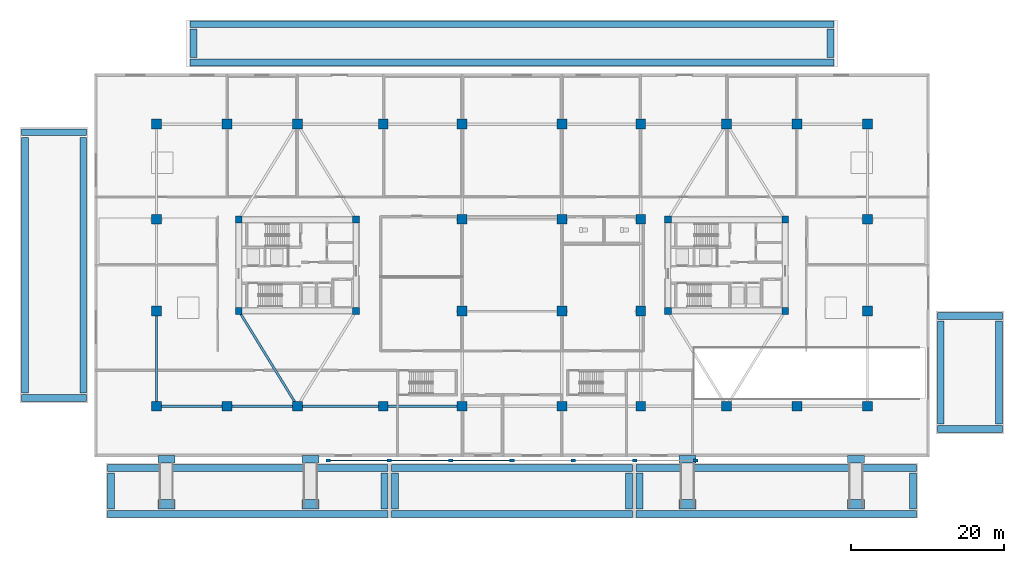
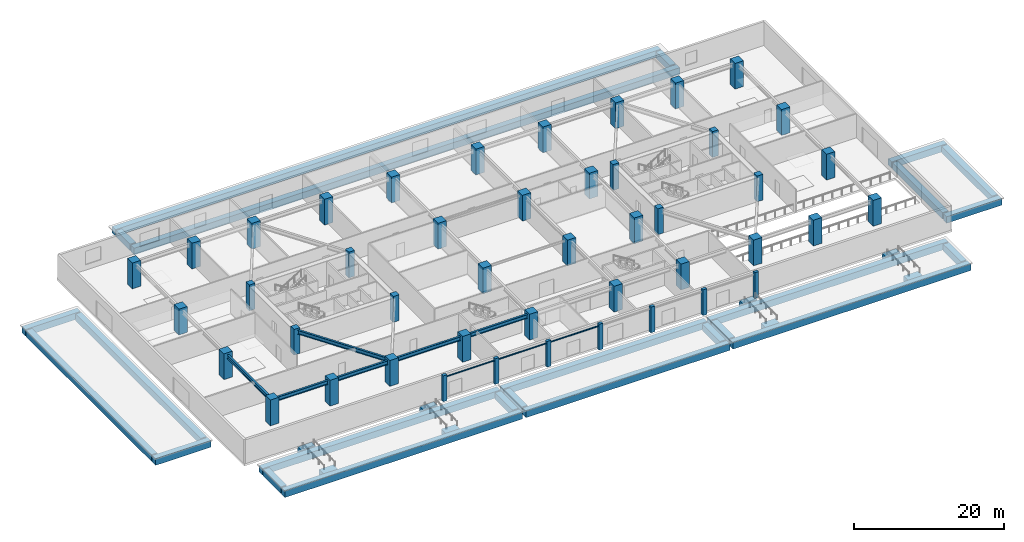
# One storey, part 1 of 22: 45 columns, 32 footings, 9 beams.
"""IFC4 building model written with IfcOpenShell, lengths in metres."""

from ifc_helpers import new_model, si_unit, direction, frame, origin, origin_2d, place, context, subcontext, project, spatial, polyline, rectangle, i_section, outline, extrude, source, transform, mapped, material, layer, layer_set, material_profile, profile_set, type_object, type_shapes, element, save


model = new_model("IFC4")

# Units and contexts
model_context = context("Model", 3, precision=1e-05, world=origin(), true_north=direction((0.0, 1.0)))
body_context = subcontext(model_context, "Body", "Model", "MODEL_VIEW")
ifc_project = project(units=[si_unit("LENGTHUNIT", "METRE"), si_unit("AREAUNIT", "SQUARE_METRE"), si_unit("VOLUMEUNIT", "CUBIC_METRE"), si_unit("PLANEANGLEUNIT", "RADIAN"), si_unit("MASSUNIT", "GRAM", prefix="KILO")], contexts=[model_context])

# Site, building, storey
site_placement = place(None, origin())
site = spatial("IfcSite", under=ifc_project, at=site_placement, CompositionType="ELEMENT")
building_placement = place(site_placement, origin())
building = spatial("IfcBuilding", under=site, at=building_placement, Name="Norrkilde Senior Care Towers", CompositionType="ELEMENT")
storey_placement = place(building_placement, origin())
storey = spatial("IfcBuildingStorey", under=building, at=storey_placement, Name="L00", CompositionType="ELEMENT", Elevation=0.0)

# Footings
ifc_material_1 = material(Name="Concrete C45/55", Category="concrete")
ifc_layer = layer(ifc_material_1, 0.89990234375)
ifc_layer_set = layer_set([ifc_layer], Name="Concrete C45/55")
footing_type = type_object("IfcFootingType", Name="Perimeter Wall Strip Footing 1400x900", PredefinedType="STRIP_FOOTING", material=ifc_layer_set)
footing_1_placement = place(storey_placement, frame((0.0, 0.0, -1.25)))
element("IfcFooting", 1, at=footing_1_placement, inside=storey, type_object=footing_type, Name="Forecourt Frost Strip Footing FT-GSF-S1S", PredefinedType="STRIP_FOOTING", context=body_context, shape_type="SweptSolid", body=[
    extrude(outline(polyline([(-52.800048828125, -32.89990234375), (-16.199951171875, -32.89990234375), (-16.199951171875, -32.0), (-52.800048828125, -32.0), (-52.800048828125, -32.89990234375)])), origin(), (0.0, 0.0, 1.0), 1.070068359375),
])
footing_2_placement = place(storey_placement, frame((0.0, 0.0, -1.25)))
element("IfcFooting", 2, at=footing_2_placement, inside=storey, type_object=footing_type, Name="Forecourt Frost Strip Footing FT-GSF-S1N", PredefinedType="STRIP_FOOTING", context=body_context, shape_type="SweptSolid", body=[
    extrude(outline(polyline([(-52.800048828125, -26.89990234375), (-16.199951171875, -26.89990234375), (-16.199951171875, -26.0), (-52.800048828125, -26.0), (-52.800048828125, -26.89990234375)])), origin(), (0.0, 0.0, 1.0), 1.070068359375),
])
footing_3_placement = place(storey_placement, frame((0.0, 0.0, -1.25)))
element("IfcFooting", 3, at=footing_3_placement, inside=storey, type_object=footing_type, Name="Forecourt Frost Strip Footing FT-GSF-S1W", PredefinedType="STRIP_FOOTING", context=body_context, shape_type="SweptSolid", body=[
    extrude(outline(polyline([(-52.800048828125, -31.800048828125), (-51.89990234375, -31.800048828125), (-51.89990234375, -27.10009765625), (-52.800048828125, -27.10009765625), (-52.800048828125, -31.800048828125)])), origin(), (0.0, 0.0, 1.0), 1.070068359375),
])
footing_4_placement = place(storey_placement, frame((0.0, 0.0, -1.25)))
element("IfcFooting", 4, at=footing_4_placement, inside=storey, type_object=footing_type, Name="Forecourt Frost Strip Footing FT-GSF-S1E", PredefinedType="STRIP_FOOTING", context=body_context, shape_type="SweptSolid", body=[
    extrude(outline(polyline([(-17.10009765625, -31.800048828125), (-16.199951171875, -31.800048828125), (-16.199951171875, -27.10009765625), (-17.10009765625, -27.10009765625), (-17.10009765625, -31.800048828125)])), origin(), (0.0, 0.0, 1.0), 1.070068359375),
])
footing_5_placement = place(storey_placement, frame((0.0, 0.0, -1.25)))
element("IfcFooting", 5, at=footing_5_placement, inside=storey, type_object=footing_type, Name="Forecourt Frost Strip Footing FT-GSF-S2S", PredefinedType="STRIP_FOOTING", context=body_context, shape_type="SweptSolid", body=[
    extrude(outline(polyline([(-15.699951171875, -32.89990234375), (15.699951171875, -32.89990234375), (15.699951171875, -32.0), (-15.699951171875, -32.0), (-15.699951171875, -32.89990234375)])), origin(), (0.0, 0.0, 1.0), 1.070068359375),
])
footing_6_placement = place(storey_placement, frame((0.0, 0.0, -1.25)))
element("IfcFooting", 6, at=footing_6_placement, inside=storey, type_object=footing_type, Name="Forecourt Frost Strip Footing FT-GSF-S2N", PredefinedType="STRIP_FOOTING", context=body_context, shape_type="SweptSolid", body=[
    extrude(outline(polyline([(-15.699951171875, -26.89990234375), (15.699951171875, -26.89990234375), (15.699951171875, -26.0), (-15.699951171875, -26.0), (-15.699951171875, -26.89990234375)])), origin(), (0.0, 0.0, 1.0), 1.070068359375),
])
footing_7_placement = place(storey_placement, frame((0.0, 0.0, -1.25)))
element("IfcFooting", 7, at=footing_7_placement, inside=storey, type_object=footing_type, Name="Forecourt Frost Strip Footing FT-GSF-S2W", PredefinedType="STRIP_FOOTING", context=body_context, shape_type="SweptSolid", body=[
    extrude(outline(polyline([(-15.699951171875, -31.800048828125), (-14.800048828125, -31.800048828125), (-14.800048828125, -27.10009765625), (-15.699951171875, -27.10009765625), (-15.699951171875, -31.800048828125)])), origin(), (0.0, 0.0, 1.0), 1.070068359375),
])
footing_8_placement = place(storey_placement, frame((0.0, 0.0, -1.25)))
element("IfcFooting", 8, at=footing_8_placement, inside=storey, type_object=footing_type, Name="Forecourt Frost Strip Footing FT-GSF-S2E", PredefinedType="STRIP_FOOTING", context=body_context, shape_type="SweptSolid", body=[
    extrude(outline(polyline([(14.800048828125, -31.800048828125), (15.699951171875, -31.800048828125), (15.699951171875, -27.10009765625), (14.800048828125, -27.10009765625), (14.800048828125, -31.800048828125)])), origin(), (0.0, 0.0, 1.0), 1.070068359375),
])
footing_9_placement = place(storey_placement, frame((0.0, 0.0, -1.25)))
element("IfcFooting", 9, at=footing_9_placement, inside=storey, type_object=footing_type, Name="Forecourt Frost Strip Footing FT-GSF-S3S", PredefinedType="STRIP_FOOTING", context=body_context, shape_type="SweptSolid", body=[
    extrude(outline(polyline([(16.199951171875, -32.89990234375), (52.800048828125, -32.89990234375), (52.800048828125, -32.0), (16.199951171875, -32.0), (16.199951171875, -32.89990234375)])), origin(), (0.0, 0.0, 1.0), 1.070068359375),
])
footing_10_placement = place(storey_placement, frame((0.0, 0.0, -1.25)))
element("IfcFooting", 10, at=footing_10_placement, inside=storey, type_object=footing_type, Name="Forecourt Frost Strip Footing FT-GSF-S3N", PredefinedType="STRIP_FOOTING", context=body_context, shape_type="SweptSolid", body=[
    extrude(outline(polyline([(16.199951171875, -26.89990234375), (52.800048828125, -26.89990234375), (52.800048828125, -26.0), (16.199951171875, -26.0), (16.199951171875, -26.89990234375)])), origin(), (0.0, 0.0, 1.0), 1.070068359375),
])
footing_11_placement = place(storey_placement, frame((0.0, 0.0, -1.25)))
element("IfcFooting", 11, at=footing_11_placement, inside=storey, type_object=footing_type, Name="Forecourt Frost Strip Footing FT-GSF-S3W", PredefinedType="STRIP_FOOTING", context=body_context, shape_type="SweptSolid", body=[
    extrude(outline(polyline([(16.199951171875, -31.800048828125), (17.10009765625, -31.800048828125), (17.10009765625, -27.10009765625), (16.199951171875, -27.10009765625), (16.199951171875, -31.800048828125)])), origin(), (0.0, 0.0, 1.0), 1.070068359375),
])
footing_12_placement = place(storey_placement, frame((0.0, 0.0, -1.25)))
element("IfcFooting", 12, at=footing_12_placement, inside=storey, type_object=footing_type, Name="Forecourt Frost Strip Footing FT-GSF-S3E", PredefinedType="STRIP_FOOTING", context=body_context, shape_type="SweptSolid", body=[
    extrude(outline(polyline([(51.89990234375, -31.800048828125), (52.800048828125, -31.800048828125), (52.800048828125, -27.10009765625), (51.89990234375, -27.10009765625), (51.89990234375, -31.800048828125)])), origin(), (0.0, 0.0, 1.0), 1.070068359375),
])
footing_13_placement = place(storey_placement, frame((0.0, 0.0, -1.25)))
element("IfcFooting", 13, at=footing_13_placement, inside=storey, type_object=footing_type, Name="Forecourt Frost Strip Footing FT-GSF-N1S", PredefinedType="STRIP_FOOTING", context=body_context, shape_type="SweptSolid", body=[
    extrude(outline(polyline([(-42.0, 26.0), (42.0, 26.0), (42.0, 26.89990234375), (-42.0, 26.89990234375), (-42.0, 26.0)])), origin(), (0.0, 0.0, 1.0), 1.070068359375),
])
footing_14_placement = place(storey_placement, frame((0.0, 0.0, -1.25)))
element("IfcFooting", 14, at=footing_14_placement, inside=storey, type_object=footing_type, Name="Forecourt Frost Strip Footing FT-GSF-N1N", PredefinedType="STRIP_FOOTING", context=body_context, shape_type="SweptSolid", body=[
    extrude(outline(polyline([(-42.0, 31.0), (42.0, 31.0), (42.0, 31.89990234375), (-42.0, 31.89990234375), (-42.0, 31.0)])), origin(), (0.0, 0.0, 1.0), 1.070068359375),
])
footing_15_placement = place(storey_placement, frame((0.0, 0.0, -1.25)))
element("IfcFooting", 15, at=footing_15_placement, inside=storey, type_object=footing_type, Name="Forecourt Frost Strip Footing FT-GSF-N1W", PredefinedType="STRIP_FOOTING", context=body_context, shape_type="SweptSolid", body=[
    extrude(outline(polyline([(-42.0, 27.10009765625), (-41.10009765625, 27.10009765625), (-41.10009765625, 30.800048828125), (-42.0, 30.800048828125), (-42.0, 27.10009765625)])), origin(), (0.0, 0.0, 1.0), 1.070068359375),
])
footing_16_placement = place(storey_placement, frame((0.0, 0.0, -1.25)))
element("IfcFooting", 16, at=footing_16_placement, inside=storey, type_object=footing_type, Name="Forecourt Frost Strip Footing FT-GSF-N1E", PredefinedType="STRIP_FOOTING", context=body_context, shape_type="SweptSolid", body=[
    extrude(outline(polyline([(41.10009765625, 27.10009765625), (42.0, 27.10009765625), (42.0, 30.800048828125), (41.10009765625, 30.800048828125), (41.10009765625, 27.10009765625)])), origin(), (0.0, 0.0, 1.0), 1.070068359375),
])
footing_17_placement = place(storey_placement, frame((0.0, 0.0, -1.25)))
element("IfcFooting", 17, at=footing_17_placement, inside=storey, type_object=footing_type, Name="Forecourt Frost Strip Footing FT-GSF-E1S", PredefinedType="STRIP_FOOTING", context=body_context, shape_type="SweptSolid", body=[
    extrude(outline(polyline([(55.5, -21.800048828125), (64.0, -21.800048828125), (64.0, -20.89990234375), (55.5, -20.89990234375), (55.5, -21.800048828125)])), origin(), (0.0, 0.0, 1.0), 1.070068359375),
])
footing_18_placement = place(storey_placement, frame((0.0, 0.0, -1.25)))
element("IfcFooting", 18, at=footing_18_placement, inside=storey, type_object=footing_type, Name="Forecourt Frost Strip Footing FT-GSF-E1N", PredefinedType="STRIP_FOOTING", context=body_context, shape_type="SweptSolid", body=[
    extrude(outline(polyline([(55.5, -7.10009765625), (64.0, -7.10009765625), (64.0, -6.199951171875), (55.5, -6.199951171875), (55.5, -7.10009765625)])), origin(), (0.0, 0.0, 1.0), 1.070068359375),
])
footing_19_placement = place(storey_placement, frame((0.0, 0.0, -1.25)))
element("IfcFooting", 19, at=footing_19_placement, inside=storey, type_object=footing_type, Name="Forecourt Frost Strip Footing FT-GSF-E1W", PredefinedType="STRIP_FOOTING", context=body_context, shape_type="SweptSolid", body=[
    extrude(outline(polyline([(55.5, -20.699951171875), (56.39990234375, -20.699951171875), (56.39990234375, -7.300048828125), (55.5, -7.300048828125), (55.5, -20.699951171875)])), origin(), (0.0, 0.0, 1.0), 1.070068359375),
])
footing_20_placement = place(storey_placement, frame((0.0, 0.0, -1.25)))
element("IfcFooting", 20, at=footing_20_placement, inside=storey, type_object=footing_type, Name="Forecourt Frost Strip Footing FT-GSF-E1E", PredefinedType="STRIP_FOOTING", context=body_context, shape_type="SweptSolid", body=[
    extrude(outline(polyline([(63.10009765625, -20.699951171875), (64.0, -20.699951171875), (64.0, -7.300048828125), (63.10009765625, -7.300048828125), (63.10009765625, -20.699951171875)])), origin(), (0.0, 0.0, 1.0), 1.070068359375),
])
footing_21_placement = place(storey_placement, frame((0.0, 0.0, -1.25)))
element("IfcFooting", 21, at=footing_21_placement, inside=storey, type_object=footing_type, Name="Forecourt Frost Strip Footing FT-GSF-W1S", PredefinedType="STRIP_FOOTING", context=body_context, shape_type="SweptSolid", body=[
    extrude(outline(polyline([(-64.0, -17.800048828125), (-55.5, -17.800048828125), (-55.5, -16.89990234375), (-64.0, -16.89990234375), (-64.0, -17.800048828125)])), origin(), (0.0, 0.0, 1.0), 1.070068359375),
])
footing_22_placement = place(storey_placement, frame((0.0, 0.0, -1.25)))
element("IfcFooting", 22, at=footing_22_placement, inside=storey, type_object=footing_type, Name="Forecourt Frost Strip Footing FT-GSF-W1N", PredefinedType="STRIP_FOOTING", context=body_context, shape_type="SweptSolid", body=[
    extrude(outline(polyline([(-64.0, 16.89990234375), (-55.5, 16.89990234375), (-55.5, 17.800048828125), (-64.0, 17.800048828125), (-64.0, 16.89990234375)])), origin(), (0.0, 0.0, 1.0), 1.070068359375),
])
footing_23_placement = place(storey_placement, frame((0.0, 0.0, -1.25)))
element("IfcFooting", 23, at=footing_23_placement, inside=storey, type_object=footing_type, Name="Forecourt Frost Strip Footing FT-GSF-W1W", PredefinedType="STRIP_FOOTING", context=body_context, shape_type="SweptSolid", body=[
    extrude(outline(polyline([(-64.0, -16.699951171875), (-63.10009765625, -16.699951171875), (-63.10009765625, 16.699951171875), (-64.0, 16.699951171875), (-64.0, -16.699951171875)])), origin(), (0.0, 0.0, 1.0), 1.070068359375),
])
footing_24_placement = place(storey_placement, frame((0.0, 0.0, -1.25)))
element("IfcFooting", 24, at=footing_24_placement, inside=storey, type_object=footing_type, Name="Forecourt Frost Strip Footing FT-GSF-W1E", PredefinedType="STRIP_FOOTING", context=body_context, shape_type="SweptSolid", body=[
    extrude(outline(polyline([(-56.39990234375, -16.699951171875), (-55.5, -16.699951171875), (-55.5, 16.699951171875), (-56.39990234375, 16.699951171875), (-56.39990234375, -16.699951171875)])), origin(), (0.0, 0.0, 1.0), 1.070068359375),
])
footing_25_placement = place(storey_placement, frame((0.0, 0.0, -1.25)))
element("IfcFooting", 25, at=footing_25_placement, inside=storey, type_object=footing_type, Name="L00 Accessible Ramp 1 Lower Toe Footing", PredefinedType="STRIP_FOOTING", context=body_context, shape_type="SweptSolid", body=[
    extrude(outline(polyline([(-46.199951171875, -31.800048828125), (-44.0, -31.800048828125), (-44.0, -30.60009765625), (-46.199951171875, -30.60009765625), (-46.199951171875, -31.800048828125)])), origin(), (0.0, 0.0, 1.0), 0.89599609375),
])
footing_26_placement = place(storey_placement, frame((0.0, 0.0, -1.25)))
element("IfcFooting", 26, at=footing_26_placement, inside=storey, type_object=footing_type, Name="L00 Accessible Ramp 1 Upper Threshold Footing", PredefinedType="STRIP_FOOTING", context=body_context, shape_type="SweptSolid", body=[
    extrude(outline(polyline([(-46.199951171875, -25.800048828125), (-44.0, -25.800048828125), (-44.0, -24.800048828125), (-46.199951171875, -24.800048828125), (-46.199951171875, -25.800048828125)])), origin(), (0.0, 0.0, 1.0), 1.050048828125),
])
footing_27_placement = place(storey_placement, frame((0.0, 0.0, -1.25)))
element("IfcFooting", 27, at=footing_27_placement, inside=storey, type_object=footing_type, Name="L00 Accessible Ramp 2 Lower Toe Footing", PredefinedType="STRIP_FOOTING", context=body_context, shape_type="SweptSolid", body=[
    extrude(outline(polyline([(-27.39990234375, -31.800048828125), (-25.199951171875, -31.800048828125), (-25.199951171875, -30.60009765625), (-27.39990234375, -30.60009765625), (-27.39990234375, -31.800048828125)])), origin(), (0.0, 0.0, 1.0), 0.89599609375),
])
footing_28_placement = place(storey_placement, frame((0.0, 0.0, -1.25)))
element("IfcFooting", 28, at=footing_28_placement, inside=storey, type_object=footing_type, Name="L00 Accessible Ramp 2 Upper Threshold Footing", PredefinedType="STRIP_FOOTING", context=body_context, shape_type="SweptSolid", body=[
    extrude(outline(polyline([(-27.39990234375, -25.800048828125), (-25.199951171875, -25.800048828125), (-25.199951171875, -24.800048828125), (-27.39990234375, -24.800048828125), (-27.39990234375, -25.800048828125)])), origin(), (0.0, 0.0, 1.0), 1.050048828125),
])
footing_29_placement = place(storey_placement, frame((0.0, 0.0, -1.25)))
element("IfcFooting", 29, at=footing_29_placement, inside=storey, type_object=footing_type, Name="L00 Accessible Ramp 3 Lower Toe Footing", PredefinedType="STRIP_FOOTING", context=body_context, shape_type="SweptSolid", body=[
    extrude(outline(polyline([(21.800048828125, -31.800048828125), (24.0, -31.800048828125), (24.0, -30.60009765625), (21.800048828125, -30.60009765625), (21.800048828125, -31.800048828125)])), origin(), (0.0, 0.0, 1.0), 0.89599609375),
])
footing_30_placement = place(storey_placement, frame((0.0, 0.0, -1.25)))
element("IfcFooting", 30, at=footing_30_placement, inside=storey, type_object=footing_type, Name="L00 Accessible Ramp 3 Upper Threshold Footing", PredefinedType="STRIP_FOOTING", context=body_context, shape_type="SweptSolid", body=[
    extrude(outline(polyline([(21.800048828125, -25.800048828125), (24.0, -25.800048828125), (24.0, -24.800048828125), (21.800048828125, -24.800048828125), (21.800048828125, -25.800048828125)])), origin(), (0.0, 0.0, 1.0), 1.050048828125),
])
footing_31_placement = place(storey_placement, frame((0.0, 0.0, -1.25)))
element("IfcFooting", 31, at=footing_31_placement, inside=storey, type_object=footing_type, Name="L00 Accessible Ramp 4 Lower Toe Footing", PredefinedType="STRIP_FOOTING", context=body_context, shape_type="SweptSolid", body=[
    extrude(outline(polyline([(43.800048828125, -31.800048828125), (46.0, -31.800048828125), (46.0, -30.60009765625), (43.800048828125, -30.60009765625), (43.800048828125, -31.800048828125)])), origin(), (0.0, 0.0, 1.0), 0.89599609375),
])
footing_32_placement = place(storey_placement, frame((0.0, 0.0, -1.25)))
element("IfcFooting", 32, at=footing_32_placement, inside=storey, type_object=footing_type, Name="L00 Accessible Ramp 4 Upper Threshold Footing", PredefinedType="STRIP_FOOTING", context=body_context, shape_type="SweptSolid", body=[
    extrude(outline(polyline([(43.800048828125, -25.800048828125), (46.0, -25.800048828125), (46.0, -24.800048828125), (43.800048828125, -24.800048828125), (43.800048828125, -25.800048828125)])), origin(), (0.0, 0.0, 1.0), 1.050048828125),
])

# Columns
ifc_material_2 = material(Name="Concrete C60/75", Category="concrete")
ifc_material_profile_1 = material_profile(ifc_material_2, rectangle(XDim=0.89990234375, YDim=0.89990234375, at=origin_2d()), Name="RC COL 900x900")
ifc_profile_set_1 = profile_set([ifc_material_profile_1], Name="Concrete C60/75")
column_type_1 = type_object("IfcColumnType", Name="Column Core Corner Z1-Z2 900", PredefinedType="COLUMN", material=ifc_profile_set_1)
shared_shape_1 = source(origin(), body_context, "Body", "SweptSolid", [
    extrude(rectangle(XDim=0.89990234375, YDim=0.89990234375, at=origin_2d()), origin(), (0.0, 0.0, 1.0), 4.199951171875),
])
type_shapes(column_type_1, [shared_shape_1])
for number, where, z_axis, x_axis, name in (
    (33, (-35.64990234375, -5.949951171875, 0.0), (0.0, 0.0, 1.0), (1.0, 0.0, 0.0), "L00 Core W Corner Column 1"),
    (34, (-20.35009765625, -5.949951171875, 0.0), (0.0, 0.0, 1.0), (1.0, 0.0, 0.0), "L00 Core W Corner Column 2"),
    (35, (-20.35009765625, 5.949951171875, 0.0), (0.0, 0.0, 1.0), (1.0, 0.0, 0.0), "L00 Core W Corner Column 3"),
    (36, (-35.64990234375, 5.949951171875, 0.0), (0.0, 0.0, 1.0), (1.0, 0.0, 0.0), "L00 Core W Corner Column 4"),
    (37, (20.35009765625, -5.949951171875, 0.0), (0.0, 0.0, 1.0), (1.0, 0.0, 0.0), "L00 Core E Corner Column 1"),
    (38, (35.64990234375, -5.949951171875, 0.0), (0.0, 0.0, 1.0), (1.0, 0.0, 0.0), "L00 Core E Corner Column 2"),
    (39, (35.64990234375, 5.949951171875, 0.0), (0.0, 0.0, 1.0), (1.0, 0.0, 0.0), "L00 Core E Corner Column 3"),
    (40, (20.35009765625, 5.949951171875, 0.0), (0.0, 0.0, 1.0), (1.0, 0.0, 0.0), "L00 Core E Corner Column 4"),
):
    element("IfcColumn", number, at=place(storey_placement, frame(where, z_axis=z_axis, x_axis=x_axis)), inside=storey, type_object=column_type_1, Name=name, PredefinedType="COLUMN", context=body_context, shape_type="MappedRepresentation", body=[
        mapped(shared_shape_1, transform((0.0, 0.0, 0.0), x_axis=(1.0, 0.0, 0.0), y_axis=(0.0, 1.0, 0.0), z_axis=(0.0, 0.0, 1.0), scale=1.0)),
    ])
ifc_material_profile_2 = material_profile(ifc_material_2, rectangle(XDim=1.300048828125, YDim=1.300048828125, at=origin_2d()), Name="RC COL 1300x1300")
ifc_profile_set_2 = profile_set([ifc_material_profile_2], Name="Concrete C60/75")
column_type_2 = type_object("IfcColumnType", Name="Column Mega Podium 1300", PredefinedType="COLUMN", material=ifc_profile_set_2)
shared_shape_2 = source(origin(), body_context, "Body", "SweptSolid", [
    extrude(rectangle(XDim=1.300048828125, YDim=1.300048828125, at=origin_2d()), origin(), (0.0, 0.0, 1.0), 4.199951171875),
])
type_shapes(column_type_2, [shared_shape_2])
for number, where, z_axis, x_axis, name in (
    (41, (-46.39990234375, -18.39990234375, 0.0), (0.0, 0.0, 1.0), (1.0, 0.0, 0.0), "L00 Podium Mega Column 01"),
    (42, (-37.199951171875, -18.39990234375, 0.0), (0.0, 0.0, 1.0), (1.0, 0.0, 0.0), "L00 Podium Mega Column 02"),
    (43, (-28.0, -18.39990234375, 0.0), (0.0, 0.0, 1.0), (1.0, 0.0, 0.0), "L00 Podium Mega Column 03"),
    (44, (-16.800048828125, -18.39990234375, 0.0), (0.0, 0.0, 1.0), (1.0, 0.0, 0.0), "L00 Podium Mega Column 04"),
    (45, (-6.5, -18.39990234375, 0.0), (0.0, 0.0, 1.0), (1.0, 0.0, 0.0), "L00 Podium Mega Column 05"),
    (46, (6.5, -18.39990234375, 0.0), (0.0, 0.0, 1.0), (1.0, 0.0, 0.0), "L00 Podium Mega Column 06"),
    (47, (16.800048828125, -18.39990234375, 0.0), (0.0, 0.0, 1.0), (1.0, 0.0, 0.0), "L00 Podium Mega Column 07"),
    (48, (28.0, -18.39990234375, 0.0), (0.0, 0.0, 1.0), (1.0, 0.0, 0.0), "L00 Podium Mega Column 08"),
    (49, (37.199951171875, -18.39990234375, 0.0), (0.0, 0.0, 1.0), (1.0, 0.0, 0.0), "L00 Podium Mega Column 09"),
    (50, (46.39990234375, -18.39990234375, 0.0), (0.0, 0.0, 1.0), (1.0, 0.0, 0.0), "L00 Podium Mega Column 10"),
    (51, (-46.39990234375, 18.39990234375, 0.0), (0.0, 0.0, 1.0), (1.0, 0.0, 0.0), "L00 Podium Mega Column 11"),
    (52, (-37.199951171875, 18.39990234375, 0.0), (0.0, 0.0, 1.0), (1.0, 0.0, 0.0), "L00 Podium Mega Column 12"),
    (53, (-28.0, 18.39990234375, 0.0), (0.0, 0.0, 1.0), (1.0, 0.0, 0.0), "L00 Podium Mega Column 13"),
    (54, (-16.800048828125, 18.39990234375, 0.0), (0.0, 0.0, 1.0), (1.0, 0.0, 0.0), "L00 Podium Mega Column 14"),
    (55, (-6.5, 18.39990234375, 0.0), (0.0, 0.0, 1.0), (1.0, 0.0, 0.0), "L00 Podium Mega Column 15"),
    (56, (6.5, 18.39990234375, 0.0), (0.0, 0.0, 1.0), (1.0, 0.0, 0.0), "L00 Podium Mega Column 16"),
    (57, (16.800048828125, 18.39990234375, 0.0), (0.0, 0.0, 1.0), (1.0, 0.0, 0.0), "L00 Podium Mega Column 17"),
    (58, (28.0, 18.39990234375, 0.0), (0.0, 0.0, 1.0), (1.0, 0.0, 0.0), "L00 Podium Mega Column 18"),
    (59, (37.199951171875, 18.39990234375, 0.0), (0.0, 0.0, 1.0), (1.0, 0.0, 0.0), "L00 Podium Mega Column 19"),
    (60, (46.39990234375, 18.39990234375, 0.0), (0.0, 0.0, 1.0), (1.0, 0.0, 0.0), "L00 Podium Mega Column 20"),
    (61, (-46.39990234375, -6.0, 0.0), (0.0, 0.0, 1.0), (1.0, 0.0, 0.0), "L00 Podium Mega Column 21"),
    (62, (-46.39990234375, 6.0, 0.0), (0.0, 0.0, 1.0), (1.0, 0.0, 0.0), "L00 Podium Mega Column 22"),
    (63, (-6.5, -6.0, 0.0), (0.0, 0.0, 1.0), (1.0, 0.0, 0.0), "L00 Podium Mega Column 23"),
    (64, (-6.5, 6.0, 0.0), (0.0, 0.0, 1.0), (1.0, 0.0, 0.0), "L00 Podium Mega Column 24"),
    (65, (6.5, -6.0, 0.0), (0.0, 0.0, 1.0), (1.0, 0.0, 0.0), "L00 Podium Mega Column 25"),
    (66, (6.5, 6.0, 0.0), (0.0, 0.0, 1.0), (1.0, 0.0, 0.0), "L00 Podium Mega Column 26"),
    (67, (16.800048828125, -6.0, 0.0), (0.0, 0.0, 1.0), (1.0, 0.0, 0.0), "L00 Podium Mega Column 27"),
    (68, (16.800048828125, 6.0, 0.0), (0.0, 0.0, 1.0), (1.0, 0.0, 0.0), "L00 Podium Mega Column 28"),
    (69, (46.39990234375, -6.0, 0.0), (0.0, 0.0, 1.0), (1.0, 0.0, 0.0), "L00 Podium Mega Column 29"),
    (70, (46.39990234375, 6.0, 0.0), (0.0, 0.0, 1.0), (1.0, 0.0, 0.0), "L00 Podium Mega Column 30"),
):
    element("IfcColumn", number, at=place(storey_placement, frame(where, z_axis=z_axis, x_axis=x_axis)), inside=storey, type_object=column_type_2, Name=name, PredefinedType="COLUMN", context=body_context, shape_type="MappedRepresentation", body=[
        mapped(shared_shape_2, transform((0.0, 0.0, 0.0), x_axis=(1.0, 0.0, 0.0), y_axis=(0.0, 1.0, 0.0), z_axis=(0.0, 0.0, 1.0), scale=1.0)),
    ])
ifc_material_3 = material(Name="Precast concrete C45/55", Category="concrete")
ifc_material_profile_3 = material_profile(ifc_material_3, rectangle(XDim=0.60009765625, YDim=0.449951171875, at=origin_2d()), Name="RC PIL 600x450")
ifc_profile_set_3 = profile_set([ifc_material_profile_3], Name="Precast concrete C45/55")
column_type_3 = type_object("IfcColumnType", Name="Pilaster Entrance Colonnade", PredefinedType="PILASTER", material=ifc_profile_set_3)
shared_shape_3 = source(origin(), body_context, "Body", "SweptSolid", [
    extrude(rectangle(XDim=0.60009765625, YDim=0.449951171875, at=origin_2d()), origin(), (0.0, 0.0, 1.0), 4.199951171875),
])
type_shapes(column_type_3, [shared_shape_3])
for number, where, z_axis, x_axis, name in (
    (71, (-24.0, -25.47998046875, 0.0), (0.0, 0.0, 1.0), (1.0, 0.0, 0.0), "L00 Entrance Colonnade Pilaster 1"),
    (72, (-16.0, -25.47998046875, 0.0), (0.0, 0.0, 1.0), (1.0, 0.0, 0.0), "L00 Entrance Colonnade Pilaster 2"),
    (73, (-8.0, -25.47998046875, 0.0), (0.0, 0.0, 1.0), (1.0, 0.0, 0.0), "L00 Entrance Colonnade Pilaster 3"),
    (74, (0.0, -25.47998046875, 0.0), (0.0, 0.0, 1.0), (1.0, 0.0, 0.0), "L00 Entrance Colonnade Pilaster 4"),
    (75, (8.0, -25.47998046875, 0.0), (0.0, 0.0, 1.0), (1.0, 0.0, 0.0), "L00 Entrance Colonnade Pilaster 5"),
    (76, (16.0, -25.47998046875, 0.0), (0.0, 0.0, 1.0), (1.0, 0.0, 0.0), "L00 Entrance Colonnade Pilaster 6"),
    (77, (24.0, -25.47998046875, 0.0), (0.0, 0.0, 1.0), (1.0, 0.0, 0.0), "L00 Entrance Colonnade Pilaster 7"),
):
    element("IfcColumn", number, at=place(storey_placement, frame(where, z_axis=z_axis, x_axis=x_axis)), inside=storey, type_object=column_type_3, Name=name, PredefinedType="PILASTER", context=body_context, shape_type="MappedRepresentation", body=[
        mapped(shared_shape_3, transform((0.0, 0.0, 0.0), x_axis=(1.0, 0.0, 0.0), y_axis=(0.0, 1.0, 0.0), z_axis=(0.0, 0.0, 1.0), scale=1.0)),
    ])

# Beams
ifc_material_4 = material(Name="Steel S355", Category="steel")
ifc_material_profile_4 = material_profile(ifc_material_4, i_section(OverallWidth=0.10009765625, OverallDepth=0.199951171875, WebThickness=0.005615234375, FlangeThickness=0.008544921875, FilletRadius=0.011962890625, at=origin_2d()), Name="IPE 200")
ifc_profile_set_4 = profile_set([ifc_material_profile_4], Name="Steel S355")
beam_type_1 = type_object("IfcBeamType", Name="Masonry Opening Lintel IPE200", PredefinedType="LINTEL", material=ifc_profile_set_4)
shared_shape_4 = source(origin(), body_context, "Body", "SweptSolid", [
    extrude(i_section(OverallWidth=0.10009765625, OverallDepth=0.199951171875, WebThickness=0.005615234375, FlangeThickness=0.008544921875, FilletRadius=0.011962890625, at=origin_2d()), origin(), (0.0, 0.0, 1.0), 7.56005859375),
])
type_shapes(beam_type_1, [shared_shape_4])
for number, where, z_axis, x_axis, name in (
    (78, (-23.780029296875, -25.47998046875, 3.780029296875), (1.0, 0.0, 0.0), (0.0, 1.0, 0.0), "L00 Colonnade Portal Lintel 1"),
    (79, (-15.780029296875, -25.47998046875, 3.780029296875), (1.0, 0.0, 0.0), (0.0, 1.0, 0.0), "L00 Colonnade Portal Lintel 2"),
    (80, (-7.780029296875, -25.47998046875, 3.780029296875), (1.0, 0.0, 0.0), (0.0, 1.0, 0.0), "L00 Colonnade Portal Lintel 3"),
):
    element("IfcBeam", number, at=place(storey_placement, frame(where, z_axis=z_axis, x_axis=x_axis)), inside=storey, type_object=beam_type_1, Name=name, PredefinedType="LINTEL", context=body_context, shape_type="MappedRepresentation", body=[
        mapped(shared_shape_4, transform((0.0, 0.0, 0.0), x_axis=(1.0, 0.0, 0.0), y_axis=(0.0, 1.0, 0.0), z_axis=(0.0, 0.0, 1.0), scale=1.0)),
    ])
ifc_material_profile_5 = material_profile(ifc_material_4, i_section(OverallWidth=0.300048828125, OverallDepth=0.64990234375, WebThickness=0.01611328125, FlangeThickness=0.031005859375, FilletRadius=0.027099609375, at=origin_2d()), Name="HEB 650")
ifc_profile_set_5 = profile_set([ifc_material_profile_5], Name="Steel S355")
beam_type_2 = type_object("IfcBeamType", Name="Podium Primary Beam HEB650", PredefinedType="BEAM", material=ifc_profile_set_5)
shared_shape_5 = source(origin(), body_context, "Body", "SweptSolid", [
    extrude(i_section(OverallWidth=0.300048828125, OverallDepth=0.64990234375, WebThickness=0.01611328125, FlangeThickness=0.031005859375, FilletRadius=0.027099609375, at=origin_2d()), origin(), (0.0, 0.0, 1.0), 8.300048828125),
])
for number, where, z_axis, x_axis, name in (
    (81, (-45.949951171875, -18.39990234375, 3.554931640625), (1.0, 0.0, 0.0), (0.0, 1.0, 0.0), "L00 Podium E-W Frame Beam 1.1"),
    (82, (-36.75, -18.39990234375, 3.554931640625), (1.0, 0.0, 0.0), (0.0, 1.0, 0.0), "L00 Podium E-W Frame Beam 1.2"),
):
    element("IfcBeam", number, at=place(storey_placement, frame(where, z_axis=z_axis, x_axis=x_axis)), inside=storey, type_object=beam_type_2, Name=name, PredefinedType="BEAM", context=body_context, shape_type="MappedRepresentation", body=[
        mapped(shared_shape_5, transform((0.0, 0.0, 0.0), x_axis=(1.0, 0.0, 0.0), y_axis=(0.0, 1.0, 0.0), z_axis=(0.0, 0.0, 1.0), scale=1.0)),
    ])
shared_shape_6 = source(origin(), body_context, "Body", "SweptSolid", [
    extrude(i_section(OverallWidth=0.300048828125, OverallDepth=0.64990234375, WebThickness=0.01611328125, FlangeThickness=0.031005859375, FilletRadius=0.027099609375, at=origin_2d()), origin(), (0.0, 0.0, 1.0), 10.300048828125),
])
beam_1_placement = place(storey_placement, frame((-27.550048828125, -18.39990234375, 3.554931640625), z_axis=(1.0, 0.0, 0.0), x_axis=(0.0, 1.0, 0.0)))
element("IfcBeam", 83, at=beam_1_placement, inside=storey, type_object=beam_type_2, Name="L00 Podium E-W Frame Beam 1.3", PredefinedType="BEAM", context=body_context, shape_type="MappedRepresentation", body=[
    mapped(shared_shape_6, transform((0.0, 0.0, 0.0), x_axis=(1.0, 0.0, 0.0), y_axis=(0.0, 1.0, 0.0), z_axis=(0.0, 0.0, 1.0), scale=1.0)),
])
shared_shape_7 = source(origin(), body_context, "Body", "SweptSolid", [
    extrude(i_section(OverallWidth=0.300048828125, OverallDepth=0.64990234375, WebThickness=0.01611328125, FlangeThickness=0.031005859375, FilletRadius=0.027099609375, at=origin_2d()), origin(), (0.0, 0.0, 1.0), 9.400146484375),
])
beam_2_placement = place(storey_placement, frame((-16.35009765625, -18.39990234375, 3.554931640625), z_axis=(1.0, 0.0, 0.0), x_axis=(0.0, 1.0, 0.0)))
element("IfcBeam", 84, at=beam_2_placement, inside=storey, type_object=beam_type_2, Name="L00 Podium E-W Frame Beam 1.4", PredefinedType="BEAM", context=body_context, shape_type="MappedRepresentation", body=[
    mapped(shared_shape_7, transform((0.0, 0.0, 0.0), x_axis=(1.0, 0.0, 0.0), y_axis=(0.0, 1.0, 0.0), z_axis=(0.0, 0.0, 1.0), scale=1.0)),
])
shared_shape_8 = source(origin(), body_context, "Body", "SweptSolid", [
    extrude(i_section(OverallWidth=0.300048828125, OverallDepth=0.64990234375, WebThickness=0.01611328125, FlangeThickness=0.031005859375, FilletRadius=0.027099609375, at=origin_2d()), origin(), (0.0, 0.0, 1.0), 11.5),
])
beam_3_placement = place(storey_placement, frame((-46.39990234375, -17.949951171875, 3.554931640625), z_axis=(0.0, 1.0, 0.0), x_axis=(-1.0, 0.0, 0.0)))
element("IfcBeam", 85, at=beam_3_placement, inside=storey, type_object=beam_type_2, Name="L00 Podium N-S Frame Beam 1.1", PredefinedType="BEAM", context=body_context, shape_type="MappedRepresentation", body=[
    mapped(shared_shape_8, transform((0.0, 0.0, 0.0), x_axis=(1.0, 0.0, 0.0), y_axis=(0.0, 1.0, 0.0), z_axis=(0.0, 0.0, 1.0), scale=1.0)),
])
shared_shape_9 = source(origin(), body_context, "Body", "SweptSolid", [
    extrude(i_section(OverallWidth=0.300048828125, OverallDepth=0.64990234375, WebThickness=0.01611328125, FlangeThickness=0.031005859375, FilletRadius=0.027099609375, at=origin_2d()), origin(), (0.0, 0.0, 1.0), 13.742431640625),
])
type_shapes(beam_type_2, [shared_shape_5, shared_shape_6, shared_shape_7, shared_shape_8, shared_shape_9])
beam_4_placement = place(storey_placement, frame((-28.235595703125, -18.0166015625, 3.554931640625), z_axis=(-0.523527368138, 0.852008858411, 0.0), x_axis=(-0.852008858411, -0.523527368138, 0.0)))
element("IfcBeam", 86, at=beam_4_placement, inside=storey, type_object=beam_type_2, Name="L00 Core W Tie Beam 1", PredefinedType="BEAM", context=body_context, shape_type="MappedRepresentation", body=[
    mapped(shared_shape_9, transform((0.0, 0.0, 0.0), x_axis=(1.0, 0.0, 0.0), y_axis=(0.0, 1.0, 0.0), z_axis=(0.0, 0.0, 1.0), scale=1.0)),
])

save(model, "model.ifc")
